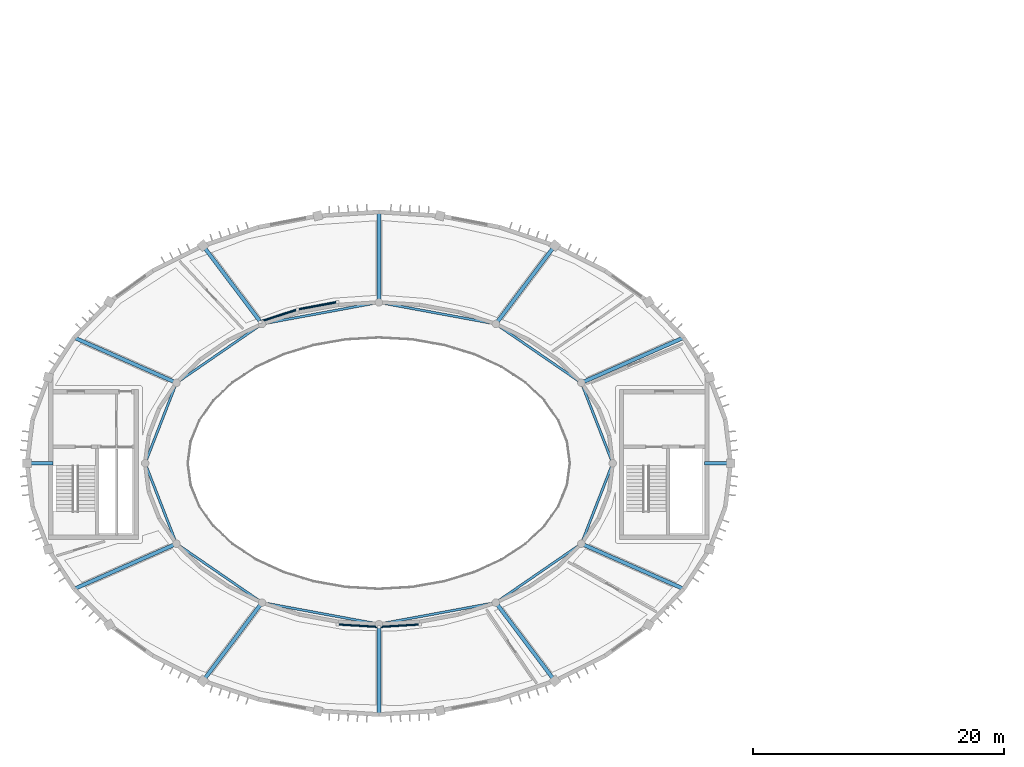
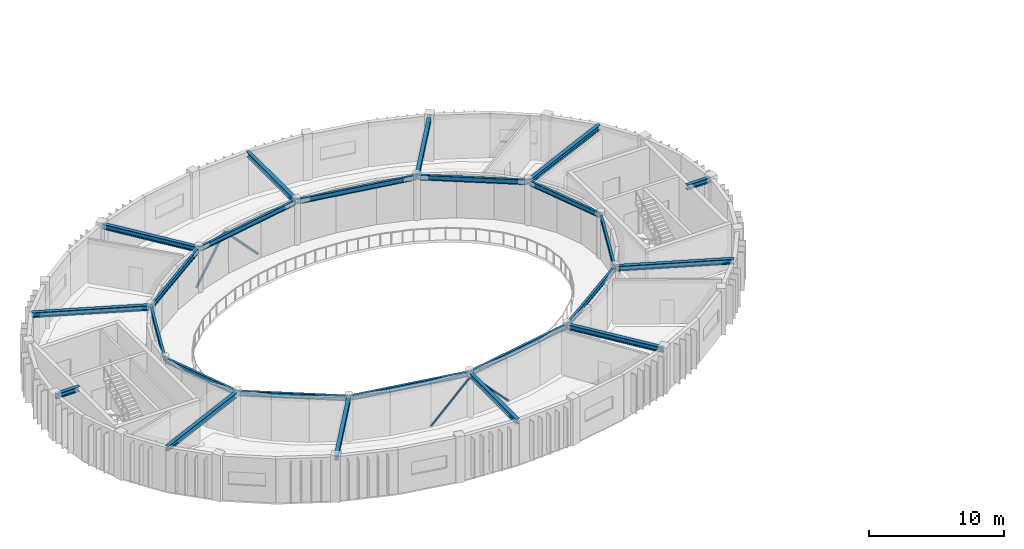
# One storey, part 5 of 29: 24 beams, 4 members.
"""IFC4 building model written with IfcOpenShell, lengths in metres."""

from ifc_helpers import new_model, si_unit, direction, frame, origin, origin_2d, place, context, subcontext, project, spatial, hollow_circle, i_section, extrude, material, material_profile, profile_set, type_object, element, save


model = new_model("IFC4")

# Units and contexts
model_context = context("Model", 3, precision=1e-05, world=origin(), true_north=direction((0.0, 1.0)))
body_context = subcontext(model_context, "Body", "Model", "MODEL_VIEW")
ifc_project = project(units=[si_unit("LENGTHUNIT", "METRE"), si_unit("AREAUNIT", "SQUARE_METRE"), si_unit("VOLUMEUNIT", "CUBIC_METRE"), si_unit("PLANEANGLEUNIT", "RADIAN"), si_unit("MASSUNIT", "GRAM", prefix="KILO")], contexts=[model_context])

# Site, building, storey
site_placement = place(None, origin())
site = spatial("IfcSite", under=ifc_project, at=site_placement, CompositionType="ELEMENT")
building_placement = place(site_placement, origin())
building = spatial("IfcBuilding", under=site, at=building_placement, Name="Tarnveldt Headland Concert Hall", CompositionType="ELEMENT")
storey_placement = place(building_placement, frame((0.0, 0.0, 18.60009765625)))
storey = spatial("IfcBuildingStorey", under=building, at=storey_placement, Name="L04", CompositionType="ELEMENT", Elevation=18.60009765625)

# Members
ifc_material = material(Name="Steel S355", Category="steel")
ifc_material_profile_1 = material_profile(ifc_material, hollow_circle(Radius=0.084228515625, WallThickness=0.010009765625, at=origin_2d()), Name="CHS 168.3x10", Category="steel")
ifc_profile_set_1 = profile_set([ifc_material_profile_1], Name="Steel S355")
member_type_1 = type_object("IfcMemberType", Name="BR-CHS168", PredefinedType="BRACE", material=ifc_profile_set_1)
for number, where, z_axis, x_axis, name in (
    (1, (80.215576171875, 41.681396484375, 0.179931640625), (0.685770567451, -0.042054613703, 0.72660177421), (0.061209623857, 0.998124933036, 0.0), "Acoustic drum chevron brace L04-16A"),
    (2, (86.784423828125, 41.681396484375, 0.179931640625), (-0.685770567451, -0.042054613703, 0.72660177421), (0.061209623857, -0.998124933036, 0.0), "Acoustic drum chevron brace L04-16B"),
):
    element("IfcMember", number, at=place(storey_placement, frame(where, z_axis=z_axis, x_axis=x_axis)), inside=storey, type_object=member_type_1, Name=name, PredefinedType="BRACE", context=body_context, shape_type="SweptSolid", body=[
        extrude(hollow_circle(Radius=0.084228515625, WallThickness=0.010009765625, at=origin_2d()), origin(), (0.0, 0.0, 1.0), 4.789306640625),
    ])
ifc_material_profile_2 = material_profile(ifc_material, hollow_circle(Radius=0.109619140625, WallThickness=0.012451171875, at=origin_2d()), Name="CHS 219.1x12.5", Category="steel")
ifc_profile_set_2 = profile_set([ifc_material_profile_2], Name="Steel S355")
member_type_2 = type_object("IfcMemberType", Name="BR-CHS219", PredefinedType="BRACE", material=ifc_profile_set_2)
member_1_placement = place(storey_placement, frame((80.215576171875, 67.318603515625, 0.179931640625), z_axis=(-0.669266978031, -0.12541691182, 0.732360778815), x_axis=(0.184188305631, -0.98289097466, 0.0)))
element("IfcMember", 3, at=member_1_placement, inside=storey, type_object=member_type_2, Name="Acoustic drum chevron brace L04-15A", PredefinedType="BRACE", context=body_context, shape_type="SweptSolid", body=[
    extrude(hollow_circle(Radius=0.109619140625, WallThickness=0.012451171875, at=origin_2d()), origin(), (0.0, 0.0, 1.0), 4.751708984375),
])
member_2_placement = place(storey_placement, frame((74.05859375, 65.753662109375, 0.179931640625), z_axis=(0.635950883518, 0.207011322618, 0.743446558981), x_axis=(-0.309528653366, 0.950890116021, 0.0)))
element("IfcMember", 4, at=member_2_placement, inside=storey, type_object=member_type_2, Name="Acoustic drum chevron brace L04-15B", PredefinedType="BRACE", context=body_context, shape_type="SweptSolid", body=[
    extrude(hollow_circle(Radius=0.109619140625, WallThickness=0.012451171875, at=origin_2d()), origin(), (0.0, 0.0, 1.0), 4.680908203125),
])

# Beams
ifc_material_profile_3 = material_profile(ifc_material, i_section(OverallWidth=0.300048828125, OverallDepth=0.449951171875, WebThickness=0.013916015625, FlangeThickness=0.02587890625, FilletRadius=0.027099609375, at=origin_2d()), Name="HEB450", Category="steel")
ifc_profile_set_3 = profile_set([ifc_material_profile_3], Name="Steel S355")
beam_type_1 = type_object("IfcBeamType", Name="SB-HEB450", PredefinedType="BEAM", material=ifc_profile_set_3)
beam_1_placement = place(storey_placement, frame((109.419921875, 54.5, 3.7548828125), z_axis=(1.0, 0.0, 0.0), x_axis=(0.0, 1.0, 0.0)))
element("IfcBeam", 5, at=beam_1_placement, inside=storey, type_object=beam_type_1, Name="Framing beam L04-1331", PredefinedType="BEAM", context=body_context, shape_type="SweptSolid", body=[
    extrude(i_section(OverallWidth=0.300048828125, OverallDepth=0.449951171875, WebThickness=0.013916015625, FlangeThickness=0.02587890625, FilletRadius=0.027099609375, at=origin_2d()), origin(), (0.0, 0.0, 1.0), 2.0400390625),
])
beam_2_placement = place(storey_placement, frame((99.644775390625, 60.916259765625, 3.7548828125), z_axis=(0.91456211397, 0.404445471839, 0.0), x_axis=(-0.404445471839, 0.91456211397, 0.0)))
element("IfcBeam", 6, at=beam_2_placement, inside=storey, type_object=beam_type_1, Name="Framing beam L04-1333", PredefinedType="BEAM", context=body_context, shape_type="SweptSolid", body=[
    extrude(i_section(OverallWidth=0.300048828125, OverallDepth=0.449951171875, WebThickness=0.013916015625, FlangeThickness=0.02587890625, FilletRadius=0.027099609375, at=origin_2d()), origin(), (0.0, 0.0, 1.0), 8.821044921875),
])
beam_3_placement = place(storey_placement, frame((92.82421875, 65.616943359375, 3.7548828125), z_axis=(0.601893745781, 0.798576182208, 0.0), x_axis=(-0.798576182208, 0.601893745781, 0.0)))
element("IfcBeam", 7, at=beam_3_placement, inside=storey, type_object=beam_type_1, Name="Framing beam L04-1335", PredefinedType="BEAM", context=body_context, shape_type="SweptSolid", body=[
    extrude(i_section(OverallWidth=0.300048828125, OverallDepth=0.449951171875, WebThickness=0.013916015625, FlangeThickness=0.02587890625, FilletRadius=0.027099609375, at=origin_2d()), origin(), (0.0, 0.0, 1.0), 7.728271484375),
])
beam_4_placement = place(storey_placement, frame((83.5, 67.340087890625, 3.7548828125), z_axis=(0.0, 1.0, 0.0), x_axis=(-1.0, 0.0, 0.0)))
element("IfcBeam", 8, at=beam_4_placement, inside=storey, type_object=beam_type_1, Name="Framing beam L04-1337", PredefinedType="BEAM", context=body_context, shape_type="SweptSolid", body=[
    extrude(i_section(OverallWidth=0.300048828125, OverallDepth=0.449951171875, WebThickness=0.013916015625, FlangeThickness=0.02587890625, FilletRadius=0.027099609375, at=origin_2d()), origin(), (0.0, 0.0, 1.0), 7.119873046875),
])
beam_5_placement = place(storey_placement, frame((74.17578125, 65.616943359375, 3.7548828125), z_axis=(-0.601893745781, 0.798576182208, 0.0), x_axis=(-0.798576182208, -0.601893745781, 0.0)))
element("IfcBeam", 9, at=beam_5_placement, inside=storey, type_object=beam_type_1, Name="Framing beam L04-1339", PredefinedType="BEAM", context=body_context, shape_type="SweptSolid", body=[
    extrude(i_section(OverallWidth=0.300048828125, OverallDepth=0.449951171875, WebThickness=0.013916015625, FlangeThickness=0.02587890625, FilletRadius=0.027099609375, at=origin_2d()), origin(), (0.0, 0.0, 1.0), 7.728271484375),
])
beam_6_placement = place(storey_placement, frame((67.355224609375, 60.916259765625, 3.7548828125), z_axis=(-0.91456211397, 0.404445471839, 0.0), x_axis=(-0.404445471839, -0.91456211397, 0.0)))
element("IfcBeam", 10, at=beam_6_placement, inside=storey, type_object=beam_type_1, Name="Framing beam L04-1341", PredefinedType="BEAM", context=body_context, shape_type="SweptSolid", body=[
    extrude(i_section(OverallWidth=0.300048828125, OverallDepth=0.449951171875, WebThickness=0.013916015625, FlangeThickness=0.02587890625, FilletRadius=0.027099609375, at=origin_2d()), origin(), (0.0, 0.0, 1.0), 8.821044921875),
])
beam_7_placement = place(storey_placement, frame((57.580078125, 54.5, 3.7548828125), z_axis=(-1.0, 0.0, 0.0), x_axis=(0.0, -1.0, 0.0)))
element("IfcBeam", 11, at=beam_7_placement, inside=storey, type_object=beam_type_1, Name="Framing beam L04-1343", PredefinedType="BEAM", context=body_context, shape_type="SweptSolid", body=[
    extrude(i_section(OverallWidth=0.300048828125, OverallDepth=0.449951171875, WebThickness=0.013916015625, FlangeThickness=0.02587890625, FilletRadius=0.027099609375, at=origin_2d()), origin(), (0.0, 0.0, 1.0), 2.0400390625),
])
beam_8_placement = place(storey_placement, frame((67.355224609375, 48.083740234375, 3.7548828125), z_axis=(-0.91456211397, -0.404445471839, 0.0), x_axis=(0.404445471839, -0.91456211397, 0.0)))
element("IfcBeam", 12, at=beam_8_placement, inside=storey, type_object=beam_type_1, Name="Framing beam L04-1345", PredefinedType="BEAM", context=body_context, shape_type="SweptSolid", body=[
    extrude(i_section(OverallWidth=0.300048828125, OverallDepth=0.449951171875, WebThickness=0.013916015625, FlangeThickness=0.02587890625, FilletRadius=0.027099609375, at=origin_2d()), origin(), (0.0, 0.0, 1.0), 8.821044921875),
])
beam_9_placement = place(storey_placement, frame((74.17578125, 43.383056640625, 3.7548828125), z_axis=(-0.601893745781, -0.798576182208, 0.0), x_axis=(0.798576182208, -0.601893745781, 0.0)))
element("IfcBeam", 13, at=beam_9_placement, inside=storey, type_object=beam_type_1, Name="Framing beam L04-1347", PredefinedType="BEAM", context=body_context, shape_type="SweptSolid", body=[
    extrude(i_section(OverallWidth=0.300048828125, OverallDepth=0.449951171875, WebThickness=0.013916015625, FlangeThickness=0.02587890625, FilletRadius=0.027099609375, at=origin_2d()), origin(), (0.0, 0.0, 1.0), 7.728271484375),
])
beam_10_placement = place(storey_placement, frame((83.5, 41.659912109375, 3.7548828125), z_axis=(0.0, -1.0, 0.0), x_axis=(1.0, 0.0, 0.0)))
element("IfcBeam", 14, at=beam_10_placement, inside=storey, type_object=beam_type_1, Name="Framing beam L04-1349", PredefinedType="BEAM", context=body_context, shape_type="SweptSolid", body=[
    extrude(i_section(OverallWidth=0.300048828125, OverallDepth=0.449951171875, WebThickness=0.013916015625, FlangeThickness=0.02587890625, FilletRadius=0.027099609375, at=origin_2d()), origin(), (0.0, 0.0, 1.0), 7.119873046875),
])
beam_11_placement = place(storey_placement, frame((92.82421875, 43.383056640625, 3.7548828125), z_axis=(0.601893745781, -0.798576182208, 0.0), x_axis=(0.798576182208, 0.601893745781, 0.0)))
element("IfcBeam", 15, at=beam_11_placement, inside=storey, type_object=beam_type_1, Name="Framing beam L04-1351", PredefinedType="BEAM", context=body_context, shape_type="SweptSolid", body=[
    extrude(i_section(OverallWidth=0.300048828125, OverallDepth=0.449951171875, WebThickness=0.013916015625, FlangeThickness=0.02587890625, FilletRadius=0.027099609375, at=origin_2d()), origin(), (0.0, 0.0, 1.0), 7.728271484375),
])
beam_12_placement = place(storey_placement, frame((99.644775390625, 48.083740234375, 3.7548828125), z_axis=(0.91456211397, -0.404445471839, 0.0), x_axis=(0.404445471839, 0.91456211397, 0.0)))
element("IfcBeam", 16, at=beam_12_placement, inside=storey, type_object=beam_type_1, Name="Framing beam L04-1353", PredefinedType="BEAM", context=body_context, shape_type="SweptSolid", body=[
    extrude(i_section(OverallWidth=0.300048828125, OverallDepth=0.449951171875, WebThickness=0.013916015625, FlangeThickness=0.02587890625, FilletRadius=0.027099609375, at=origin_2d()), origin(), (0.0, 0.0, 1.0), 8.821044921875),
])
ifc_material_profile_4 = material_profile(ifc_material, i_section(OverallWidth=0.18994140625, OverallDepth=0.449951171875, WebThickness=0.009521484375, FlangeThickness=0.0146484375, FilletRadius=0.02099609375, at=origin_2d()), Name="IPE450", Category="steel")
ifc_profile_set_4 = profile_set([ifc_material_profile_4], Name="Steel S355")
beam_type_2 = type_object("IfcBeamType", Name="SB-IPE450", PredefinedType="BEAM", material=ifc_profile_set_4)
beam_13_placement = place(storey_placement, frame((102.078125, 54.555908203125, 3.7548828125), z_axis=(-0.362816377746, 0.931860652694, 0.0), x_axis=(-0.931860652694, -0.362816377746, 0.0)))
element("IfcBeam", 17, at=beam_13_placement, inside=storey, type_object=beam_type_2, Name="Framing beam L04-1332", PredefinedType="BEAM", context=body_context, shape_type="SweptSolid", body=[
    extrude(i_section(OverallWidth=0.18994140625, OverallDepth=0.449951171875, WebThickness=0.009521484375, FlangeThickness=0.0146484375, FilletRadius=0.02099609375, at=origin_2d()), origin(), (0.0, 0.0, 1.0), 6.747802734375),
])
beam_14_placement = place(storey_placement, frame((99.55859375, 60.93408203125, 3.7548828125), z_axis=(-0.823792567818, 0.566891352207, 0.0), x_axis=(-0.566891352207, -0.823792567818, 0.0)))
element("IfcBeam", 18, at=beam_14_placement, inside=storey, type_object=beam_type_2, Name="Framing beam L04-1334", PredefinedType="BEAM", context=body_context, shape_type="SweptSolid", body=[
    extrude(i_section(OverallWidth=0.18994140625, OverallDepth=0.449951171875, WebThickness=0.009521484375, FlangeThickness=0.0146484375, FilletRadius=0.02099609375, at=origin_2d()), origin(), (0.0, 0.0, 1.0), 8.144287109375),
])
for number, where, z_axis, x_axis, name in (
    (19, (92.740966796875, 65.595947265625, 3.7548828125), (-0.983420438696, 0.181340124501, 0.0), (-0.181340124501, -0.983420438696, 0.0), "Framing beam L04-1336"),
    (20, (83.44091796875, 67.2890625, 3.7548828125), (-0.983420438696, -0.181340124501, 0.0), (0.181340124501, -0.983420438696, 0.0), "Framing beam L04-1338"),
):
    element("IfcBeam", number, at=place(storey_placement, frame(where, z_axis=z_axis, x_axis=x_axis)), inside=storey, type_object=beam_type_2, Name=name, PredefinedType="BEAM", context=body_context, shape_type="SweptSolid", body=[
        extrude(i_section(OverallWidth=0.18994140625, OverallDepth=0.449951171875, WebThickness=0.009521484375, FlangeThickness=0.0146484375, FilletRadius=0.02099609375, at=origin_2d()), origin(), (0.0, 0.0, 1.0), 9.336669921875),
    ])
beam_15_placement = place(storey_placement, frame((74.150634765625, 65.551025390625, 3.7548828125), z_axis=(-0.823792567818, -0.566891352207, 0.0), x_axis=(0.566891352207, -0.823792567818, 0.0)))
element("IfcBeam", 21, at=beam_15_placement, inside=storey, type_object=beam_type_2, Name="Framing beam L04-1340", PredefinedType="BEAM", context=body_context, shape_type="SweptSolid", body=[
    extrude(i_section(OverallWidth=0.18994140625, OverallDepth=0.449951171875, WebThickness=0.009521484375, FlangeThickness=0.0146484375, FilletRadius=0.02099609375, at=origin_2d()), origin(), (0.0, 0.0, 1.0), 8.144287109375),
])
for number, where, z_axis, x_axis, name in (
    (22, (67.3701171875, 60.843994140625, 3.7548828125), (-0.362816377746, -0.931860652694, 0.0), (0.931860652694, -0.362816377746, 0.0), "Framing beam L04-1342"),
    (23, (64.921875, 54.444091796875, 3.7548828125), (0.362816377746, -0.931860652694, 0.0), (0.931860652694, 0.362816377746, 0.0), "Framing beam L04-1344"),
):
    element("IfcBeam", number, at=place(storey_placement, frame(where, z_axis=z_axis, x_axis=x_axis)), inside=storey, type_object=beam_type_2, Name=name, PredefinedType="BEAM", context=body_context, shape_type="SweptSolid", body=[
        extrude(i_section(OverallWidth=0.18994140625, OverallDepth=0.449951171875, WebThickness=0.009521484375, FlangeThickness=0.0146484375, FilletRadius=0.02099609375, at=origin_2d()), origin(), (0.0, 0.0, 1.0), 6.747802734375),
    ])
beam_16_placement = place(storey_placement, frame((67.44140625, 48.06591796875, 3.7548828125), z_axis=(0.823792567818, -0.566891352207, 0.0), x_axis=(0.566891352207, 0.823792567818, 0.0)))
element("IfcBeam", 24, at=beam_16_placement, inside=storey, type_object=beam_type_2, Name="Framing beam L04-1346", PredefinedType="BEAM", context=body_context, shape_type="SweptSolid", body=[
    extrude(i_section(OverallWidth=0.18994140625, OverallDepth=0.449951171875, WebThickness=0.009521484375, FlangeThickness=0.0146484375, FilletRadius=0.02099609375, at=origin_2d()), origin(), (0.0, 0.0, 1.0), 8.144287109375),
])
for number, where, z_axis, x_axis, name in (
    (25, (74.259033203125, 43.404052734375, 3.7548828125), (0.983420438696, -0.181340124501, 0.0), (0.181340124501, 0.983420438696, 0.0), "Framing beam L04-1348"),
    (26, (83.55908203125, 41.7109375, 3.7548828125), (0.983420438696, 0.181340124501, 0.0), (-0.181340124501, 0.983420438696, 0.0), "Framing beam L04-1350"),
):
    element("IfcBeam", number, at=place(storey_placement, frame(where, z_axis=z_axis, x_axis=x_axis)), inside=storey, type_object=beam_type_2, Name=name, PredefinedType="BEAM", context=body_context, shape_type="SweptSolid", body=[
        extrude(i_section(OverallWidth=0.18994140625, OverallDepth=0.449951171875, WebThickness=0.009521484375, FlangeThickness=0.0146484375, FilletRadius=0.02099609375, at=origin_2d()), origin(), (0.0, 0.0, 1.0), 9.336669921875),
    ])
beam_17_placement = place(storey_placement, frame((92.849365234375, 43.448974609375, 3.7548828125), z_axis=(0.823792567818, 0.566891352207, 0.0), x_axis=(-0.566891352207, 0.823792567818, 0.0)))
element("IfcBeam", 27, at=beam_17_placement, inside=storey, type_object=beam_type_2, Name="Framing beam L04-1352", PredefinedType="BEAM", context=body_context, shape_type="SweptSolid", body=[
    extrude(i_section(OverallWidth=0.18994140625, OverallDepth=0.449951171875, WebThickness=0.009521484375, FlangeThickness=0.0146484375, FilletRadius=0.02099609375, at=origin_2d()), origin(), (0.0, 0.0, 1.0), 8.144287109375),
])
beam_18_placement = place(storey_placement, frame((99.6298828125, 48.156005859375, 3.7548828125), z_axis=(0.362816377746, 0.931860652694, 0.0), x_axis=(-0.931860652694, 0.362816377746, 0.0)))
element("IfcBeam", 28, at=beam_18_placement, inside=storey, type_object=beam_type_2, Name="Framing beam L04-1354", PredefinedType="BEAM", context=body_context, shape_type="SweptSolid", body=[
    extrude(i_section(OverallWidth=0.18994140625, OverallDepth=0.449951171875, WebThickness=0.009521484375, FlangeThickness=0.0146484375, FilletRadius=0.02099609375, at=origin_2d()), origin(), (0.0, 0.0, 1.0), 6.747802734375),
])

save(model, "model.ifc")
